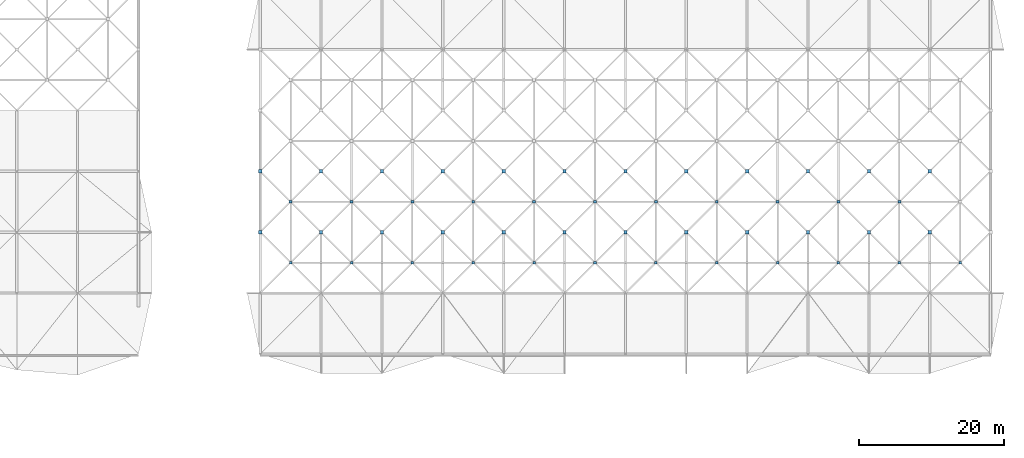
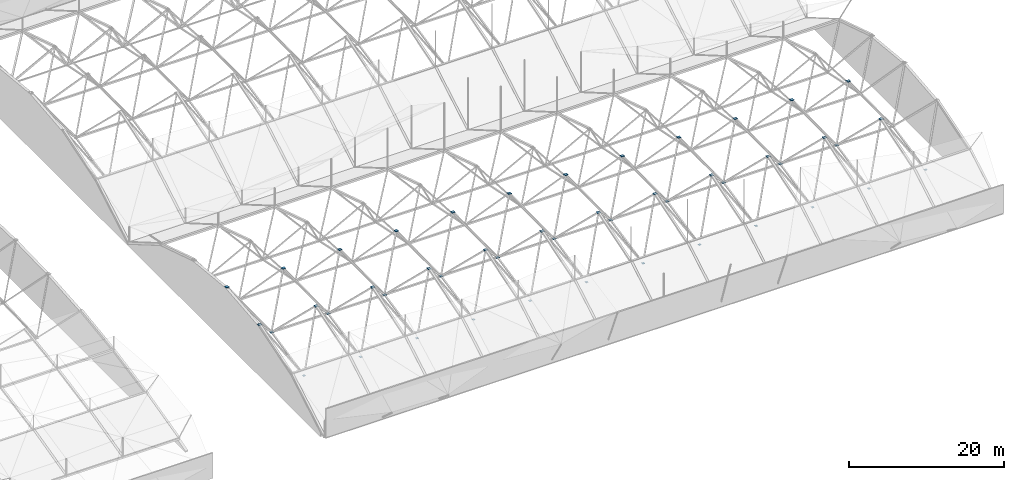
# One storey, part 102 of 111: 47 discrete accessories.
"""IFC4 building model written with IfcOpenShell, lengths in metres."""

from ifc_helpers import new_model, si_unit, direction, frame, origin, origin_2d, place, context, subcontext, project, spatial, rectangle, extrude, material, layer, layer_set, type_object, element, save


model = new_model("IFC4")

# Units and contexts
model_context = context("Model", 3, precision=1e-05, world=origin(), true_north=direction((0.0, 1.0)))
body_context = subcontext(model_context, "Body", "Model", "MODEL_VIEW")
ifc_project = project(units=[si_unit("LENGTHUNIT", "METRE"), si_unit("AREAUNIT", "SQUARE_METRE"), si_unit("VOLUMEUNIT", "CUBIC_METRE"), si_unit("PLANEANGLEUNIT", "RADIAN"), si_unit("MASSUNIT", "GRAM", prefix="KILO")], contexts=[model_context])

# Site, building, storey
site_placement = place(None, origin())
site = spatial("IfcSite", under=ifc_project, at=site_placement, CompositionType="ELEMENT")
building_placement = place(site_placement, origin())
building = spatial("IfcBuilding", under=site, at=building_placement, Name="Rain Tree Exposition and Congress Centre", CompositionType="ELEMENT")
storey_placement = place(building_placement, frame((0.0, 0.0, 19.5)))
storey = spatial("IfcBuildingStorey", under=building, at=storey_placement, Name="RF", CompositionType="ELEMENT", Elevation=19.5)

# Discrete accessories
ifc_material_1 = material(Name="Steel plate S355J2", Category="steel")
ifc_layer_1 = layer(ifc_material_1, 0.02001953125)
ifc_layer_set_1 = layer_set([ifc_layer_1], Name="Steel plate S355J2")
discrete_accessory_type_1 = type_object("IfcDiscreteAccessoryType", Name="Brace node plate 350x350x20", PredefinedType="BRACKET", material=ifc_layer_set_1)
for number, where, z_axis, x_axis, name in (
    (1, (147.0, 113.39990234375, 0.955078125), (0.0, 0.0, 1.0), (1.0, 0.0, 0.0), "Brace node plate 350"),
    (2, (155.39990234375, 113.39990234375, 0.955078125), (0.0, 0.0, 1.0), (1.0, 0.0, 0.0), "Brace node plate 350"),
    (3, (163.800048828125, 113.39990234375, 0.955078125), (0.0, 0.0, 1.0), (1.0, 0.0, 0.0), "Brace node plate 350"),
    (4, (172.199951171875, 113.39990234375, 0.955078125), (0.0, 0.0, 1.0), (1.0, 0.0, 0.0), "Brace node plate 350"),
    (5, (180.60009765625, 113.39990234375, 0.955078125), (0.0, 0.0, 1.0), (1.0, 0.0, 0.0), "Brace node plate 350"),
    (6, (189.0, 113.39990234375, 0.955078125), (0.0, 0.0, 1.0), (1.0, 0.0, 0.0), "Brace node plate 350"),
    (7, (197.39990234375, 113.39990234375, 0.955078125), (0.0, 0.0, 1.0), (1.0, 0.0, 0.0), "Brace node plate 350"),
    (8, (205.800048828125, 113.39990234375, 0.955078125), (0.0, 0.0, 1.0), (1.0, 0.0, 0.0), "Brace node plate 350"),
    (9, (214.199951171875, 113.39990234375, 0.955078125), (0.0, 0.0, 1.0), (1.0, 0.0, 0.0), "Brace node plate 350"),
    (10, (222.60009765625, 113.39990234375, 0.955078125), (0.0, 0.0, 1.0), (1.0, 0.0, 0.0), "Brace node plate 350"),
    (11, (231.0, 113.39990234375, 0.955078125), (0.0, 0.0, 1.0), (1.0, 0.0, 0.0), "Brace node plate 350"),
    (12, (239.39990234375, 113.39990234375, 0.955078125), (0.0, 0.0, 1.0), (1.0, 0.0, 0.0), "Brace node plate 350"),
):
    element("IfcDiscreteAccessory", number, at=place(storey_placement, frame(where, z_axis=z_axis, x_axis=x_axis)), inside=storey, type_object=discrete_accessory_type_1, Name=name, PredefinedType="BRACKET", context=body_context, shape_type="SweptSolid", body=[
        extrude(rectangle(XDim=0.35009765625, YDim=0.35009765625, at=origin_2d()), origin(), (0.0, 0.0, 1.0), 0.02001953125),
    ])
ifc_material_2 = material(Name="Steel plate S355J2", Category="steel")
ifc_layer_2 = layer(ifc_material_2, 0.02001953125)
ifc_layer_set_2 = layer_set([ifc_layer_2], Name="Steel plate S355J2")
discrete_accessory_type_2 = type_object("IfcDiscreteAccessoryType", Name="Brace node plate 400x400x20", PredefinedType="BRACKET", material=ifc_layer_set_2)
for number, where, z_axis, x_axis, name in (
    (13, (147.0, 121.800048828125, 2.678955078125), (0.0, 0.0, 1.0), (1.0, 0.0, 0.0), "Brace node plate 400"),
    (14, (155.39990234375, 121.800048828125, 2.678955078125), (0.0, 0.0, 1.0), (1.0, 0.0, 0.0), "Brace node plate 400"),
    (15, (163.800048828125, 121.800048828125, 2.678955078125), (0.0, 0.0, 1.0), (1.0, 0.0, 0.0), "Brace node plate 400"),
    (16, (172.199951171875, 121.800048828125, 2.678955078125), (0.0, 0.0, 1.0), (1.0, 0.0, 0.0), "Brace node plate 400"),
    (17, (180.60009765625, 121.800048828125, 2.678955078125), (0.0, 0.0, 1.0), (1.0, 0.0, 0.0), "Brace node plate 400"),
    (18, (189.0, 121.800048828125, 2.678955078125), (0.0, 0.0, 1.0), (1.0, 0.0, 0.0), "Brace node plate 400"),
    (19, (197.39990234375, 121.800048828125, 2.678955078125), (0.0, 0.0, 1.0), (1.0, 0.0, 0.0), "Brace node plate 400"),
    (20, (205.800048828125, 121.800048828125, 2.678955078125), (0.0, 0.0, 1.0), (1.0, 0.0, 0.0), "Brace node plate 400"),
    (21, (214.199951171875, 121.800048828125, 2.678955078125), (0.0, 0.0, 1.0), (1.0, 0.0, 0.0), "Brace node plate 400"),
    (22, (222.60009765625, 121.800048828125, 2.678955078125), (0.0, 0.0, 1.0), (1.0, 0.0, 0.0), "Brace node plate 400"),
    (23, (231.0, 121.800048828125, 2.678955078125), (0.0, 0.0, 1.0), (1.0, 0.0, 0.0), "Brace node plate 400"),
):
    element("IfcDiscreteAccessory", number, at=place(storey_placement, frame(where, z_axis=z_axis, x_axis=x_axis)), inside=storey, type_object=discrete_accessory_type_2, Name=name, PredefinedType="BRACKET", context=body_context, shape_type="SweptSolid", body=[
        extrude(rectangle(XDim=0.39990234375, YDim=0.39990234375, at=origin_2d()), origin(), (0.0, 0.0, 1.0), 0.02001953125),
    ])
ifc_material_3 = material(Name="Steel plate S355J2", Category="steel")
ifc_layer_3 = layer(ifc_material_3, 0.02001953125)
ifc_layer_set_3 = layer_set([ifc_layer_3], Name="Steel plate S355J2")
discrete_accessory_type_3 = type_object("IfcDiscreteAccessoryType", Name="Brace node plate 450x450x20", PredefinedType="BRACKET", material=ifc_layer_set_3)
for number, where, z_axis, x_axis, name in (
    (24, (142.800048828125, 117.60009765625, 7.890869140625), (0.0, 0.0, 1.0), (1.0, 0.0, 0.0), "Brace node plate 450"),
    (25, (151.199951171875, 117.60009765625, 7.890869140625), (0.0, 0.0, 1.0), (1.0, 0.0, 0.0), "Brace node plate 450"),
    (26, (159.60009765625, 117.60009765625, 7.890869140625), (0.0, 0.0, 1.0), (1.0, 0.0, 0.0), "Brace node plate 450"),
    (27, (168.0, 117.60009765625, 7.890869140625), (0.0, 0.0, 1.0), (1.0, 0.0, 0.0), "Brace node plate 450"),
    (28, (176.39990234375, 117.60009765625, 7.890869140625), (0.0, 0.0, 1.0), (1.0, 0.0, 0.0), "Brace node plate 450"),
    (29, (184.800048828125, 117.60009765625, 7.890869140625), (0.0, 0.0, 1.0), (1.0, 0.0, 0.0), "Brace node plate 450"),
    (30, (193.199951171875, 117.60009765625, 7.890869140625), (0.0, 0.0, 1.0), (1.0, 0.0, 0.0), "Brace node plate 450"),
    (31, (201.60009765625, 117.60009765625, 7.890869140625), (0.0, 0.0, 1.0), (1.0, 0.0, 0.0), "Brace node plate 450"),
    (32, (210.0, 117.60009765625, 7.890869140625), (0.0, 0.0, 1.0), (1.0, 0.0, 0.0), "Brace node plate 450"),
    (33, (218.39990234375, 117.60009765625, 7.890869140625), (0.0, 0.0, 1.0), (1.0, 0.0, 0.0), "Brace node plate 450"),
    (34, (226.800048828125, 117.60009765625, 7.890869140625), (0.0, 0.0, 1.0), (1.0, 0.0, 0.0), "Brace node plate 450"),
    (35, (235.199951171875, 117.60009765625, 7.890869140625), (0.0, 0.0, 1.0), (1.0, 0.0, 0.0), "Brace node plate 450"),
    (36, (142.800048828125, 126.0, 8.739990234375), (0.0, 0.0, 1.0), (1.0, 0.0, 0.0), "Brace node plate 450"),
    (37, (151.199951171875, 126.0, 8.739990234375), (0.0, 0.0, 1.0), (1.0, 0.0, 0.0), "Brace node plate 450"),
    (38, (159.60009765625, 126.0, 8.739990234375), (0.0, 0.0, 1.0), (1.0, 0.0, 0.0), "Brace node plate 450"),
    (39, (168.0, 126.0, 8.739990234375), (0.0, 0.0, 1.0), (1.0, 0.0, 0.0), "Brace node plate 450"),
    (40, (176.39990234375, 126.0, 8.739990234375), (0.0, 0.0, 1.0), (1.0, 0.0, 0.0), "Brace node plate 450"),
    (41, (184.800048828125, 126.0, 8.739990234375), (0.0, 0.0, 1.0), (1.0, 0.0, 0.0), "Brace node plate 450"),
    (42, (193.199951171875, 126.0, 8.739990234375), (0.0, 0.0, 1.0), (1.0, 0.0, 0.0), "Brace node plate 450"),
    (43, (201.60009765625, 126.0, 8.739990234375), (0.0, 0.0, 1.0), (1.0, 0.0, 0.0), "Brace node plate 450"),
    (44, (210.0, 126.0, 8.739990234375), (0.0, 0.0, 1.0), (1.0, 0.0, 0.0), "Brace node plate 450"),
    (45, (218.39990234375, 126.0, 8.739990234375), (0.0, 0.0, 1.0), (1.0, 0.0, 0.0), "Brace node plate 450"),
    (46, (226.800048828125, 126.0, 8.739990234375), (0.0, 0.0, 1.0), (1.0, 0.0, 0.0), "Brace node plate 450"),
    (47, (235.199951171875, 126.0, 8.739990234375), (0.0, 0.0, 1.0), (1.0, 0.0, 0.0), "Brace node plate 450"),
):
    element("IfcDiscreteAccessory", number, at=place(storey_placement, frame(where, z_axis=z_axis, x_axis=x_axis)), inside=storey, type_object=discrete_accessory_type_3, Name=name, PredefinedType="BRACKET", context=body_context, shape_type="SweptSolid", body=[
        extrude(rectangle(XDim=0.449951171875, YDim=0.449951171875, at=origin_2d()), origin(), (0.0, 0.0, 1.0), 0.02001953125),
    ])

save(model, "model.ifc")
